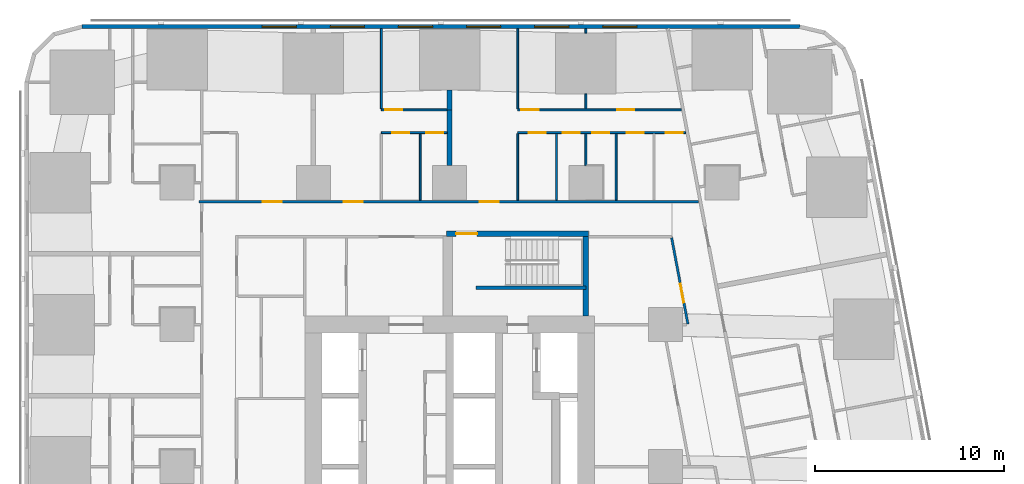
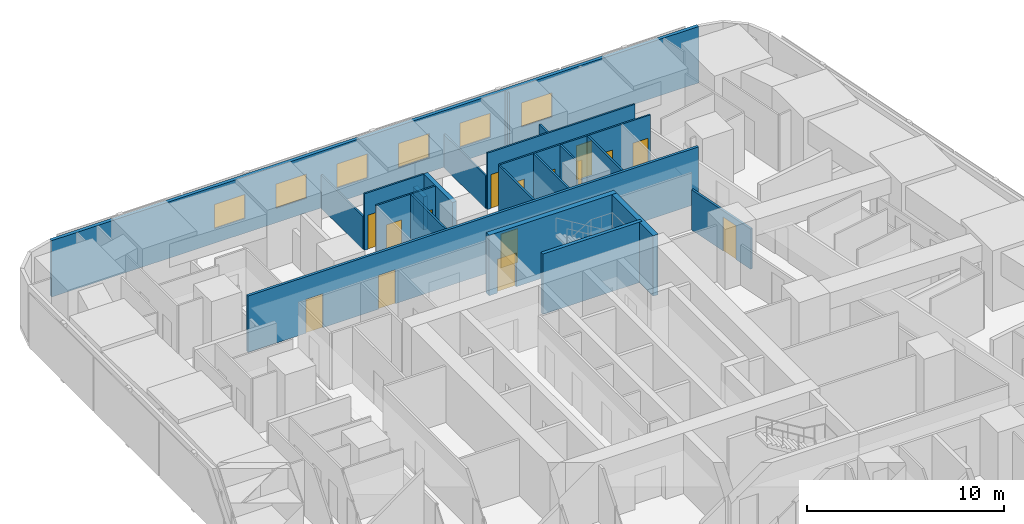
# One storey, part 12 of 17: 21 walls, 15 doors, 6 windows, 21 openings.
"""IFC4 building model written with IfcOpenShell, lengths in metres."""

from ifc_helpers import new_model, si_unit, direction, frame, frame_2d, origin, place, context, subcontext, project, spatial, rectangle, extrude, material, layer, layer_set, type_object, element, fill, save


model = new_model("IFC4")

# Units and contexts
model_context = context("Model", 3, precision=1e-05, world=origin(), true_north=direction((0.0, 1.0)))
body_context = subcontext(model_context, "Body", "Model", "MODEL_VIEW")
ifc_project = project(units=[si_unit("LENGTHUNIT", "METRE"), si_unit("AREAUNIT", "SQUARE_METRE"), si_unit("VOLUMEUNIT", "CUBIC_METRE"), si_unit("PLANEANGLEUNIT", "RADIAN"), si_unit("MASSUNIT", "GRAM", prefix="KILO")], contexts=[model_context])

# Site, building, storey
site_placement = place(None, origin())
site = spatial("IfcSite", under=ifc_project, at=site_placement, CompositionType="ELEMENT")
building_placement = place(site_placement, origin())
building = spatial("IfcBuilding", under=site, at=building_placement, Name="Sheger Commons Tower", CompositionType="ELEMENT")
storey_placement = place(building_placement, frame((0.0, 0.0, 27.5)))
storey = spatial("IfcBuildingStorey", under=building, at=storey_placement, Name="L06", CompositionType="ELEMENT", Elevation=27.5)

# Wall, openings, doors
ifc_material_1 = material(Name="Hollow concrete block masonry, skimmed both sides", Category="masonry")
ifc_layer_1 = layer(ifc_material_1, 0.14990234375)
ifc_layer_set_1 = layer_set([ifc_layer_1], Name="CORRIDOR WALL 150")
wall_type_1 = type_object("IfcWallType", Name="CORRIDOR WALL 150", PredefinedType="SOLIDWALL", material=ifc_layer_set_1)
wall_1_placement = place(storey_placement, frame((8.35009765625, 36.5, 0.0), z_axis=(0.0, 0.0, 1.0), x_axis=(1.0, 0.0, 0.0)))
wall_1 = element("IfcWall", 1, at=wall_1_placement, inside=storey, type_object=wall_type_1, Name="Corridor wall L06", PredefinedType="SOLIDWALL", context=body_context, shape_type="SweptSolid", body=[
    extrude(rectangle(XDim=26.414794921875, YDim=0.14990234375, at=frame_2d((13.20751953125, 0.0))), origin(), (0.0, 0.0, 1.0), 3.5),
])
opening_1_placement = place(wall_1_placement, frame((3.383056640625, 0.0, 0.0)))
opening_1 = element("IfcOpeningElement", 2, at=opening_1_placement, cuts=wall_1, Name="Opening D1", PredefinedType="OPENING", context=body_context, shape_type="SweptSolid", body=[
    extrude(rectangle(XDim=1.0, YDim=2.10009765625, at=frame_2d((0.5, 1.050048828125))), frame((0.0, 0.0849609375, 0.0), z_axis=(0.0, -1.0, 0.0), x_axis=(1.0, 0.0, 0.0)), (0.0, 0.0, 1.0), 0.169921875),
])
opening_2_placement = place(wall_1_placement, frame((7.64990234375, 0.0, 0.0)))
opening_2 = element("IfcOpeningElement", 3, at=opening_2_placement, cuts=wall_1, Name="Opening D1", PredefinedType="OPENING", context=body_context, shape_type="SweptSolid", body=[
    extrude(rectangle(XDim=1.0, YDim=2.10009765625, at=frame_2d((0.5, 1.050048828125))), frame((0.0, 0.0849609375, 0.0), z_axis=(0.0, -1.0, 0.0), x_axis=(1.0, 0.0, 0.0)), (0.0, 0.0, 1.0), 0.169921875),
])
opening_3_placement = place(wall_1_placement, frame((14.85693359375, 0.0, 0.0)))
opening_3 = element("IfcOpeningElement", 4, at=opening_3_placement, cuts=wall_1, Name="Opening D1", PredefinedType="OPENING", context=body_context, shape_type="SweptSolid", body=[
    extrude(rectangle(XDim=1.0, YDim=2.10009765625, at=frame_2d((0.5, 1.050048828125))), frame((0.0, 0.0849609375, 0.0), z_axis=(0.0, -1.0, 0.0), x_axis=(1.0, 0.0, 0.0)), (0.0, 0.0, 1.0), 0.169921875),
])
ifc_material_2 = material(Name="Steel door set, fire rated", Category="steel")
door_type_1 = type_object("IfcDoorType", Name="FLAT ENTRANCE DOOR 1000x2100", OperationType="NOTDEFINED", PredefinedType="DOOR", material=ifc_material_2)
door_1_placement = place(opening_1_placement, origin())
door_1 = element("IfcDoor", 5, at=door_1_placement, inside=storey, type_object=door_type_1, Name="Flat entrance door", OperationType="SINGLE_SWING_RIGHT", OverallHeight=2.10009765625, OverallWidth=1.0, PredefinedType="DOOR", context=body_context, shape_type="SweptSolid", body=[
    extrude(rectangle(XDim=1.0, YDim=2.10009765625, at=frame_2d((0.5, 1.050048828125))), frame((0.0, 0.02490234375, 0.0), z_axis=(0.0, -1.0, 0.0), x_axis=(1.0, 0.0, 0.0)), (0.0, 0.0, 1.0), 0.050048828125),
])
fill(opening_1, door_1)
door_2_placement = place(opening_2_placement, origin())
door_2 = element("IfcDoor", 6, at=door_2_placement, inside=storey, type_object=door_type_1, Name="Flat entrance door", OperationType="SINGLE_SWING_RIGHT", OverallHeight=2.10009765625, OverallWidth=1.0, PredefinedType="DOOR", context=body_context, shape_type="SweptSolid", body=[
    extrude(rectangle(XDim=1.0, YDim=2.10009765625, at=frame_2d((0.5, 1.050048828125))), frame((0.0, 0.02490234375, 0.0), z_axis=(0.0, -1.0, 0.0), x_axis=(1.0, 0.0, 0.0)), (0.0, 0.0, 1.0), 0.050048828125),
])
fill(opening_2, door_2)
door_3_placement = place(opening_3_placement, origin())
door_3 = element("IfcDoor", 7, at=door_3_placement, inside=storey, type_object=door_type_1, Name="Flat entrance door", OperationType="SINGLE_SWING_RIGHT", OverallHeight=2.10009765625, OverallWidth=1.0, PredefinedType="DOOR", context=body_context, shape_type="SweptSolid", body=[
    extrude(rectangle(XDim=1.0, YDim=2.10009765625, at=frame_2d((0.5, 1.050048828125))), frame((0.0, 0.02490234375, 0.0), z_axis=(0.0, -1.0, 0.0), x_axis=(1.0, 0.0, 0.0)), (0.0, 0.0, 1.0), 0.050048828125),
])
fill(opening_3, door_3)

# Walls
ifc_material_3 = material(Name="Dense concrete block masonry, plastered both sides (separating wall between flats)", Category="masonry")
ifc_layer_2 = layer(ifc_material_3, 0.25)
ifc_layer_set_2 = layer_set([ifc_layer_2], Name="DEMISING WALL 250")
wall_type_2 = type_object("IfcWallType", Name="DEMISING WALL 250", PredefinedType="SOLIDWALL", material=ifc_layer_set_2)
wall_2_placement = place(storey_placement, frame((21.60009765625, 41.35009765625, 0.0), z_axis=(0.0, 0.0, 1.0), x_axis=(0.0, 1.0, 0.0)))
element("IfcWall", 8, at=wall_2_placement, inside=storey, type_object=wall_type_2, Name="Demising wall L06", PredefinedType="SOLIDWALL", context=body_context, shape_type="SweptSolid", body=[
    extrude(rectangle(XDim=1.048828125, YDim=0.25, at=frame_2d((0.5244140625, 0.0))), origin(), (0.0, 0.0, 1.0), 2.050048828125),
])
wall_3_placement = place(storey_placement, frame((21.60009765625, 38.40087890625, 0.0), z_axis=(0.0, 0.0, 1.0), x_axis=(0.0, 1.0, 0.0)))
element("IfcWall", 9, at=wall_3_placement, inside=storey, type_object=wall_type_2, Name="Demising wall L06", PredefinedType="SOLIDWALL", context=body_context, shape_type="SweptSolid", body=[
    extrude(rectangle(XDim=2.94921875, YDim=0.25, at=frame_2d((1.474609375, 0.0))), origin(), (0.0, 0.0, 1.0), 3.5),
])

# Wall, openings, windows
ifc_material_4 = material(Name="Rendered concrete block masonry, dark grey", Category="masonry")
ifc_layer_3 = layer(ifc_material_4, 0.199951171875)
ifc_layer_set_3 = layer_set([ifc_layer_3], Name="FACADE WALL 200")
wall_type_3 = type_object("IfcWallType", Name="FACADE WALL 200", PredefinedType="SOLIDWALL", material=ifc_layer_set_3)
wall_4_placement = place(storey_placement, frame((40.10595703125, 45.75, 0.0), z_axis=(0.0, 0.0, 1.0), x_axis=(-1.0, 0.0, 0.0)))
wall_4 = element("IfcWall", 10, at=wall_4_placement, inside=storey, type_object=wall_type_3, Name="Facade wall L06", PredefinedType="SOLIDWALL", context=body_context, shape_type="SweptSolid", body=[
    extrude(rectangle(XDim=37.94287109375, YDim=0.199951171875, at=frame_2d((18.971435546875, 0.0))), origin(), (0.0, 0.0, 1.0), 3.5),
])
opening_4_placement = place(wall_4_placement, frame((8.60595703125, 0.0, 0.89990234375)))
opening_4 = element("IfcOpeningElement", 11, at=opening_4_placement, cuts=wall_4, Name="Opening W2", PredefinedType="OPENING", context=body_context, shape_type="SweptSolid", body=[
    extrude(rectangle(XDim=1.800048828125, YDim=1.5, at=frame_2d((0.89990234375, 0.75))), frame((0.0, 0.10986328125, 0.0), z_axis=(0.0, -1.0, 0.0), x_axis=(1.0, 0.0, 0.0)), (0.0, 0.0, 1.0), 0.219970703125),
])
opening_5_placement = place(wall_4_placement, frame((12.2060546875, 0.0, 0.89990234375)))
opening_5 = element("IfcOpeningElement", 12, at=opening_5_placement, cuts=wall_4, Name="Opening W2", PredefinedType="OPENING", context=body_context, shape_type="SweptSolid", body=[
    extrude(rectangle(XDim=1.800048828125, YDim=1.5, at=frame_2d((0.89990234375, 0.75))), frame((0.0, 0.10986328125, 0.0), z_axis=(0.0, -1.0, 0.0), x_axis=(1.0, 0.0, 0.0)), (0.0, 0.0, 1.0), 0.219970703125),
])
opening_6_placement = place(wall_4_placement, frame((15.805908203125, 0.0, 0.89990234375)))
opening_6 = element("IfcOpeningElement", 13, at=opening_6_placement, cuts=wall_4, Name="Opening W2", PredefinedType="OPENING", context=body_context, shape_type="SweptSolid", body=[
    extrude(rectangle(XDim=1.800048828125, YDim=1.5, at=frame_2d((0.89990234375, 0.75))), frame((0.0, 0.10986328125, 0.0), z_axis=(0.0, -1.0, 0.0), x_axis=(1.0, 0.0, 0.0)), (0.0, 0.0, 1.0), 0.219970703125),
])
opening_7_placement = place(wall_4_placement, frame((19.406005859375, 0.0, 0.89990234375)))
opening_7 = element("IfcOpeningElement", 14, at=opening_7_placement, cuts=wall_4, Name="Opening W2", PredefinedType="OPENING", context=body_context, shape_type="SweptSolid", body=[
    extrude(rectangle(XDim=1.800048828125, YDim=1.5, at=frame_2d((0.89990234375, 0.75))), frame((0.0, 0.10986328125, 0.0), z_axis=(0.0, -1.0, 0.0), x_axis=(1.0, 0.0, 0.0)), (0.0, 0.0, 1.0), 0.219970703125),
])
opening_8_placement = place(wall_4_placement, frame((23.006103515625, 0.0, 0.89990234375)))
opening_8 = element("IfcOpeningElement", 15, at=opening_8_placement, cuts=wall_4, Name="Opening W2", PredefinedType="OPENING", context=body_context, shape_type="SweptSolid", body=[
    extrude(rectangle(XDim=1.800048828125, YDim=1.5, at=frame_2d((0.89990234375, 0.75))), frame((0.0, 0.10986328125, 0.0), z_axis=(0.0, -1.0, 0.0), x_axis=(1.0, 0.0, 0.0)), (0.0, 0.0, 1.0), 0.219970703125),
])
opening_9_placement = place(wall_4_placement, frame((26.60595703125, 0.0, 0.89990234375)))
opening_9 = element("IfcOpeningElement", 16, at=opening_9_placement, cuts=wall_4, Name="Opening W2", PredefinedType="OPENING", context=body_context, shape_type="SweptSolid", body=[
    extrude(rectangle(XDim=1.800048828125, YDim=1.5, at=frame_2d((0.89990234375, 0.75))), frame((0.0, 0.10986328125, 0.0), z_axis=(0.0, -1.0, 0.0), x_axis=(1.0, 0.0, 0.0)), (0.0, 0.0, 1.0), 0.219970703125),
])
ifc_material_5 = material(Name="Black aluminium frame, dark tinted double glazing", Category="aluminium")
window_type = type_object("IfcWindowType", Name="WINDOW W2 1800x1500", PartitioningType="SINGLE_PANEL", PredefinedType="WINDOW", material=ifc_material_5)
window_1_placement = place(opening_4_placement, origin())
window_1 = element("IfcWindow", 17, at=window_1_placement, inside=storey, type_object=window_type, Name="Window W2 1800X1500", OverallHeight=1.5, OverallWidth=1.800048828125, PartitioningType="SINGLE_PANEL", PredefinedType="WINDOW", context=body_context, shape_type="SweptSolid", body=[
    extrude(rectangle(XDim=1.800048828125, YDim=1.5, at=frame_2d((0.89990234375, 0.75))), frame((0.0, 0.030029296875, 0.0), z_axis=(0.0, -1.0, 0.0), x_axis=(1.0, 0.0, 0.0)), (0.0, 0.0, 1.0), 0.06005859375),
])
fill(opening_4, window_1)
window_2_placement = place(opening_5_placement, origin())
window_2 = element("IfcWindow", 18, at=window_2_placement, inside=storey, type_object=window_type, Name="Window W2 1800X1500", OverallHeight=1.5, OverallWidth=1.800048828125, PartitioningType="SINGLE_PANEL", PredefinedType="WINDOW", context=body_context, shape_type="SweptSolid", body=[
    extrude(rectangle(XDim=1.800048828125, YDim=1.5, at=frame_2d((0.89990234375, 0.75))), frame((0.0, 0.030029296875, 0.0), z_axis=(0.0, -1.0, 0.0), x_axis=(1.0, 0.0, 0.0)), (0.0, 0.0, 1.0), 0.06005859375),
])
fill(opening_5, window_2)
window_3_placement = place(opening_6_placement, origin())
window_3 = element("IfcWindow", 19, at=window_3_placement, inside=storey, type_object=window_type, Name="Window W2 1800X1500", OverallHeight=1.5, OverallWidth=1.800048828125, PartitioningType="SINGLE_PANEL", PredefinedType="WINDOW", context=body_context, shape_type="SweptSolid", body=[
    extrude(rectangle(XDim=1.800048828125, YDim=1.5, at=frame_2d((0.89990234375, 0.75))), frame((0.0, 0.030029296875, 0.0), z_axis=(0.0, -1.0, 0.0), x_axis=(1.0, 0.0, 0.0)), (0.0, 0.0, 1.0), 0.06005859375),
])
fill(opening_6, window_3)
window_4_placement = place(opening_7_placement, origin())
window_4 = element("IfcWindow", 20, at=window_4_placement, inside=storey, type_object=window_type, Name="Window W2 1800X1500", OverallHeight=1.5, OverallWidth=1.800048828125, PartitioningType="SINGLE_PANEL", PredefinedType="WINDOW", context=body_context, shape_type="SweptSolid", body=[
    extrude(rectangle(XDim=1.800048828125, YDim=1.5, at=frame_2d((0.89990234375, 0.75))), frame((0.0, 0.030029296875, 0.0), z_axis=(0.0, -1.0, 0.0), x_axis=(1.0, 0.0, 0.0)), (0.0, 0.0, 1.0), 0.06005859375),
])
fill(opening_7, window_4)
window_5_placement = place(opening_8_placement, origin())
window_5 = element("IfcWindow", 21, at=window_5_placement, inside=storey, type_object=window_type, Name="Window W2 1800X1500", OverallHeight=1.5, OverallWidth=1.800048828125, PartitioningType="SINGLE_PANEL", PredefinedType="WINDOW", context=body_context, shape_type="SweptSolid", body=[
    extrude(rectangle(XDim=1.800048828125, YDim=1.5, at=frame_2d((0.89990234375, 0.75))), frame((0.0, 0.030029296875, 0.0), z_axis=(0.0, -1.0, 0.0), x_axis=(1.0, 0.0, 0.0)), (0.0, 0.0, 1.0), 0.06005859375),
])
fill(opening_8, window_5)
window_6_placement = place(opening_9_placement, origin())
window_6 = element("IfcWindow", 22, at=window_6_placement, inside=storey, type_object=window_type, Name="Window W2 1800X1500", OverallHeight=1.5, OverallWidth=1.800048828125, PartitioningType="SINGLE_PANEL", PredefinedType="WINDOW", context=body_context, shape_type="SweptSolid", body=[
    extrude(rectangle(XDim=1.800048828125, YDim=1.5, at=frame_2d((0.89990234375, 0.75))), frame((0.0, 0.030029296875, 0.0), z_axis=(0.0, -1.0, 0.0), x_axis=(1.0, 0.0, 0.0)), (0.0, 0.0, 1.0), 0.06005859375),
])
fill(opening_9, window_6)

# Wall, opening, door
ifc_material_6 = material(Name="Gypsum board on steel studs", Category="steel")
ifc_layer_4 = layer(ifc_material_6, 0.10009765625)
ifc_layer_set_4 = layer_set([ifc_layer_4], Name="PARTITION 100")
wall_type_4 = type_object("IfcWallType", Name="PARTITION 100", PredefinedType="PARTITIONING", material=ifc_layer_set_4)
wall_5_placement = place(storey_placement, frame((18.0, 41.35009765625, 0.0), z_axis=(0.0, 0.0, 1.0), x_axis=(1.0, 0.0, 0.0)))
wall_5 = element("IfcWall", 23, at=wall_5_placement, inside=storey, type_object=wall_type_4, Name="Partition L06", PredefinedType="PARTITIONING", context=body_context, shape_type="SweptSolid", body=[
    extrude(rectangle(XDim=3.47509765625, YDim=0.10009765625, at=frame_2d((1.737548828125, 0.0))), origin(), (0.0, 0.0, 1.0), 3.5),
])
opening_10_placement = place(wall_5_placement, frame((0.199951171875, 0.0, 0.0)))
opening_10 = element("IfcOpeningElement", 24, at=opening_10_placement, cuts=wall_5, Name="Opening D2", PredefinedType="OPENING", context=body_context, shape_type="SweptSolid", body=[
    extrude(rectangle(XDim=0.89990234375, YDim=2.10009765625, at=frame_2d((0.449951171875, 1.050048828125))), frame((0.0, 0.06005859375, 0.0), z_axis=(0.0, -1.0, 0.0), x_axis=(1.0, 0.0, 0.0)), (0.0, 0.0, 1.0), 0.1201171875),
])
ifc_material_7 = material(Name="Timber door set", Category="wood")
door_type_2 = type_object("IfcDoorType", Name="INTERNAL DOOR 900x2100", OperationType="NOTDEFINED", PredefinedType="DOOR", material=ifc_material_7)
door_4_placement = place(opening_10_placement, origin())
door_4 = element("IfcDoor", 25, at=door_4_placement, inside=storey, type_object=door_type_2, Name="Main bedroom door", OperationType="SINGLE_SWING_LEFT", OverallHeight=2.10009765625, OverallWidth=0.89990234375, PredefinedType="DOOR", context=body_context, shape_type="SweptSolid", body=[
    extrude(rectangle(XDim=0.89990234375, YDim=2.10009765625, at=frame_2d((0.449951171875, 1.050048828125))), frame((0.0, 0.02490234375, 0.0), z_axis=(0.0, -1.0, 0.0), x_axis=(1.0, 0.0, 0.0)), (0.0, 0.0, 1.0), 0.050048828125),
])
fill(opening_10, door_4)

# Wall, openings, doors
wall_6_placement = place(storey_placement, frame((18.0, 40.14990234375, 0.0), z_axis=(0.0, 0.0, 1.0), x_axis=(1.0, 0.0, 0.0)))
wall_6 = element("IfcWall", 26, at=wall_6_placement, inside=storey, type_object=wall_type_4, Name="Partition L06", PredefinedType="PARTITIONING", context=body_context, shape_type="SweptSolid", body=[
    extrude(rectangle(XDim=3.47509765625, YDim=0.10009765625, at=frame_2d((1.737548828125, 0.0))), origin(), (0.0, 0.0, 1.0), 3.5),
])
opening_11_placement = place(wall_6_placement, frame((0.574951171875, 0.0, 0.0)))
opening_11 = element("IfcOpeningElement", 27, at=opening_11_placement, cuts=wall_6, Name="Opening D2", PredefinedType="OPENING", context=body_context, shape_type="SweptSolid", body=[
    extrude(rectangle(XDim=0.89990234375, YDim=2.10009765625, at=frame_2d((0.449951171875, 1.050048828125))), frame((0.0, 0.06005859375, 0.0), z_axis=(0.0, -1.0, 0.0), x_axis=(1.0, 0.0, 0.0)), (0.0, 0.0, 1.0), 0.1201171875),
])
opening_12_placement = place(wall_6_placement, frame((2.375, 0.0, 0.0)))
opening_12 = element("IfcOpeningElement", 28, at=opening_12_placement, cuts=wall_6, Name="Opening D2", PredefinedType="OPENING", context=body_context, shape_type="SweptSolid", body=[
    extrude(rectangle(XDim=0.89990234375, YDim=2.10009765625, at=frame_2d((0.449951171875, 1.050048828125))), frame((0.0, 0.06005859375, 0.0), z_axis=(0.0, -1.0, 0.0), x_axis=(1.0, 0.0, 0.0)), (0.0, 0.0, 1.0), 0.1201171875),
])
door_5_placement = place(opening_11_placement, origin())
door_5 = element("IfcDoor", 29, at=door_5_placement, inside=storey, type_object=door_type_2, Name="Bathroom door", OperationType="SINGLE_SWING_RIGHT", OverallHeight=2.10009765625, OverallWidth=0.89990234375, PredefinedType="DOOR", context=body_context, shape_type="SweptSolid", body=[
    extrude(rectangle(XDim=0.89990234375, YDim=2.10009765625, at=frame_2d((0.449951171875, 1.050048828125))), frame((0.0, 0.02490234375, 0.0), z_axis=(0.0, -1.0, 0.0), x_axis=(1.0, 0.0, 0.0)), (0.0, 0.0, 1.0), 0.050048828125),
])
fill(opening_11, door_5)
door_6_placement = place(opening_12_placement, origin())
door_6 = element("IfcDoor", 30, at=door_6_placement, inside=storey, type_object=door_type_2, Name="Store door", OperationType="SINGLE_SWING_LEFT", OverallHeight=2.10009765625, OverallWidth=0.89990234375, PredefinedType="DOOR", context=body_context, shape_type="SweptSolid", body=[
    extrude(rectangle(XDim=0.89990234375, YDim=2.10009765625, at=frame_2d((0.449951171875, 1.050048828125))), frame((0.0, 0.02490234375, 0.0), z_axis=(0.0, -1.0, 0.0), x_axis=(1.0, 0.0, 0.0)), (0.0, 0.0, 1.0), 0.050048828125),
])
fill(opening_12, door_6)

# Walls
wall_7_placement = place(storey_placement, frame((18.0, 41.39990234375, 0.0), z_axis=(0.0, 0.0, 1.0), x_axis=(0.0, 1.0, 0.0)))
element("IfcWall", 31, at=wall_7_placement, inside=storey, type_object=wall_type_4, Name="Partition L06", PredefinedType="PARTITIONING", context=body_context, shape_type="SweptSolid", body=[
    extrude(rectangle(XDim=4.25, YDim=0.10009765625, at=frame_2d((2.125, 0.0))), origin(), (0.0, 0.0, 1.0), 2.050048828125),
])
wall_8_placement = place(storey_placement, frame((20.050048828125, 36.574951171875, 0.0), z_axis=(0.0, 0.0, 1.0), x_axis=(0.0, 1.0, 0.0)))
element("IfcWall", 32, at=wall_8_placement, inside=storey, type_object=wall_type_4, Name="Partition L06", PredefinedType="PARTITIONING", context=body_context, shape_type="SweptSolid", body=[
    extrude(rectangle(XDim=3.525146484375, YDim=0.10009765625, at=frame_2d((1.7626953125, 0.0))), origin(), (0.0, 0.0, 1.0), 3.5),
])

# Wall, openings, doors
wall_9_placement = place(storey_placement, frame((25.199951171875, 41.35009765625, 0.0), z_axis=(0.0, 0.0, 1.0), x_axis=(1.0, 0.0, 0.0)))
wall_9 = element("IfcWall", 33, at=wall_9_placement, inside=storey, type_object=wall_type_4, Name="Partition L06", PredefinedType="PARTITIONING", context=body_context, shape_type="SweptSolid", body=[
    extrude(rectangle(XDim=8.653076171875, YDim=0.10009765625, at=frame_2d((4.32666015625, 0.0))), origin(), (0.0, 0.0, 1.0), 3.5),
])
opening_13_placement = place(wall_9_placement, frame((0.199951171875, 0.0, 0.0)))
opening_13 = element("IfcOpeningElement", 34, at=opening_13_placement, cuts=wall_9, Name="Opening D2", PredefinedType="OPENING", context=body_context, shape_type="SweptSolid", body=[
    extrude(rectangle(XDim=0.89990234375, YDim=2.10009765625, at=frame_2d((0.449951171875, 1.050048828125))), frame((0.0, 0.06005859375, 0.0), z_axis=(0.0, -1.0, 0.0), x_axis=(1.0, 0.0, 0.0)), (0.0, 0.0, 1.0), 0.1201171875),
])
opening_14_placement = place(wall_9_placement, frame((5.25, 0.0, 0.0)))
opening_14 = element("IfcOpeningElement", 35, at=opening_14_placement, cuts=wall_9, Name="Opening D2", PredefinedType="OPENING", context=body_context, shape_type="SweptSolid", body=[
    extrude(rectangle(XDim=0.89990234375, YDim=2.10009765625, at=frame_2d((0.449951171875, 1.050048828125))), frame((0.0, 0.06005859375, 0.0), z_axis=(0.0, -1.0, 0.0), x_axis=(1.0, 0.0, 0.0)), (0.0, 0.0, 1.0), 0.1201171875),
])
door_7_placement = place(opening_13_placement, origin())
door_7 = element("IfcDoor", 36, at=door_7_placement, inside=storey, type_object=door_type_2, Name="Main bedroom door", OperationType="SINGLE_SWING_LEFT", OverallHeight=2.10009765625, OverallWidth=0.89990234375, PredefinedType="DOOR", context=body_context, shape_type="SweptSolid", body=[
    extrude(rectangle(XDim=0.89990234375, YDim=2.10009765625, at=frame_2d((0.449951171875, 1.050048828125))), frame((0.0, 0.02490234375, 0.0), z_axis=(0.0, -1.0, 0.0), x_axis=(1.0, 0.0, 0.0)), (0.0, 0.0, 1.0), 0.050048828125),
])
fill(opening_13, door_7)
door_8_placement = place(opening_14_placement, origin())
door_8 = element("IfcDoor", 37, at=door_8_placement, inside=storey, type_object=door_type_2, Name="Bedroom 2 door", OperationType="SINGLE_SWING_LEFT", OverallHeight=2.10009765625, OverallWidth=0.89990234375, PredefinedType="DOOR", context=body_context, shape_type="SweptSolid", body=[
    extrude(rectangle(XDim=0.89990234375, YDim=2.10009765625, at=frame_2d((0.449951171875, 1.050048828125))), frame((0.0, 0.02490234375, 0.0), z_axis=(0.0, -1.0, 0.0), x_axis=(1.0, 0.0, 0.0)), (0.0, 0.0, 1.0), 0.050048828125),
])
fill(opening_14, door_8)

wall_10_placement = place(storey_placement, frame((25.199951171875, 40.14990234375, 0.0), z_axis=(0.0, 0.0, 1.0), x_axis=(1.0, 0.0, 0.0)))
wall_10 = element("IfcWall", 38, at=wall_10_placement, inside=storey, type_object=wall_type_4, Name="Partition L06", PredefinedType="PARTITIONING", context=body_context, shape_type="SweptSolid", body=[
    extrude(rectangle(XDim=8.880126953125, YDim=0.10009765625, at=frame_2d((4.43994140625, 0.0))), origin(), (0.0, 0.0, 1.0), 3.5),
])
opening_15_placement = place(wall_10_placement, frame((0.574951171875, 0.0, 0.0)))
opening_15 = element("IfcOpeningElement", 39, at=opening_15_placement, cuts=wall_10, Name="Opening D2", PredefinedType="OPENING", context=body_context, shape_type="SweptSolid", body=[
    extrude(rectangle(XDim=0.89990234375, YDim=2.10009765625, at=frame_2d((0.449951171875, 1.050048828125))), frame((0.0, 0.06005859375, 0.0), z_axis=(0.0, -1.0, 0.0), x_axis=(1.0, 0.0, 0.0)), (0.0, 0.0, 1.0), 0.1201171875),
])
opening_16_placement = place(wall_10_placement, frame((3.949951171875, 0.0, 0.0)))
opening_16 = element("IfcOpeningElement", 40, at=opening_16_placement, cuts=wall_10, Name="Opening D2", PredefinedType="OPENING", context=body_context, shape_type="SweptSolid", body=[
    extrude(rectangle(XDim=0.89990234375, YDim=2.10009765625, at=frame_2d((0.449951171875, 1.050048828125))), frame((0.0, 0.06005859375, 0.0), z_axis=(0.0, -1.0, 0.0), x_axis=(1.0, 0.0, 0.0)), (0.0, 0.0, 1.0), 0.1201171875),
])
opening_17_placement = place(wall_10_placement, frame((7.830078125, 0.0, 0.0)))
opening_17 = element("IfcOpeningElement", 41, at=opening_17_placement, cuts=wall_10, Name="Opening D2", PredefinedType="OPENING", context=body_context, shape_type="SweptSolid", body=[
    extrude(rectangle(XDim=0.89990234375, YDim=2.10009765625, at=frame_2d((0.449951171875, 1.050048828125))), frame((0.0, 0.06005859375, 0.0), z_axis=(0.0, -1.0, 0.0), x_axis=(1.0, 0.0, 0.0)), (0.0, 0.0, 1.0), 0.1201171875),
])
opening_18_placement = place(wall_10_placement, frame((2.375, 0.0, 0.0)))
opening_18 = element("IfcOpeningElement", 42, at=opening_18_placement, cuts=wall_10, Name="Opening D2", PredefinedType="OPENING", context=body_context, shape_type="SweptSolid", body=[
    extrude(rectangle(XDim=0.89990234375, YDim=2.10009765625, at=frame_2d((0.449951171875, 1.050048828125))), frame((0.0, 0.06005859375, 0.0), z_axis=(0.0, -1.0, 0.0), x_axis=(1.0, 0.0, 0.0)), (0.0, 0.0, 1.0), 0.1201171875),
])
opening_19_placement = place(wall_10_placement, frame((5.75, 0.0, 0.0)))
opening_19 = element("IfcOpeningElement", 43, at=opening_19_placement, cuts=wall_10, Name="Opening D2", PredefinedType="OPENING", context=body_context, shape_type="SweptSolid", body=[
    extrude(rectangle(XDim=0.89990234375, YDim=2.10009765625, at=frame_2d((0.449951171875, 1.050048828125))), frame((0.0, 0.06005859375, 0.0), z_axis=(0.0, -1.0, 0.0), x_axis=(1.0, 0.0, 0.0)), (0.0, 0.0, 1.0), 0.1201171875),
])
door_9_placement = place(opening_15_placement, origin())
door_9 = element("IfcDoor", 44, at=door_9_placement, inside=storey, type_object=door_type_2, Name="Bathroom door", OperationType="SINGLE_SWING_RIGHT", OverallHeight=2.10009765625, OverallWidth=0.89990234375, PredefinedType="DOOR", context=body_context, shape_type="SweptSolid", body=[
    extrude(rectangle(XDim=0.89990234375, YDim=2.10009765625, at=frame_2d((0.449951171875, 1.050048828125))), frame((0.0, 0.02490234375, 0.0), z_axis=(0.0, -1.0, 0.0), x_axis=(1.0, 0.0, 0.0)), (0.0, 0.0, 1.0), 0.050048828125),
])
fill(opening_15, door_9)
door_10_placement = place(opening_16_placement, origin())
door_10 = element("IfcDoor", 45, at=door_10_placement, inside=storey, type_object=door_type_2, Name="Shower room door", OperationType="SINGLE_SWING_RIGHT", OverallHeight=2.10009765625, OverallWidth=0.89990234375, PredefinedType="DOOR", context=body_context, shape_type="SweptSolid", body=[
    extrude(rectangle(XDim=0.89990234375, YDim=2.10009765625, at=frame_2d((0.449951171875, 1.050048828125))), frame((0.0, 0.02490234375, 0.0), z_axis=(0.0, -1.0, 0.0), x_axis=(1.0, 0.0, 0.0)), (0.0, 0.0, 1.0), 0.050048828125),
])
fill(opening_16, door_10)
door_11_placement = place(opening_17_placement, origin())
door_11 = element("IfcDoor", 46, at=door_11_placement, inside=storey, type_object=door_type_2, Name="Laundry room door", OperationType="SINGLE_SWING_LEFT", OverallHeight=2.10009765625, OverallWidth=0.89990234375, PredefinedType="DOOR", context=body_context, shape_type="SweptSolid", body=[
    extrude(rectangle(XDim=0.89990234375, YDim=2.10009765625, at=frame_2d((0.449951171875, 1.050048828125))), frame((0.0, 0.02490234375, 0.0), z_axis=(0.0, -1.0, 0.0), x_axis=(1.0, 0.0, 0.0)), (0.0, 0.0, 1.0), 0.050048828125),
])
fill(opening_17, door_11)
door_12_placement = place(opening_18_placement, origin())
door_12 = element("IfcDoor", 47, at=door_12_placement, inside=storey, type_object=door_type_2, Name="Store door", OperationType="SINGLE_SWING_LEFT", OverallHeight=2.10009765625, OverallWidth=0.89990234375, PredefinedType="DOOR", context=body_context, shape_type="SweptSolid", body=[
    extrude(rectangle(XDim=0.89990234375, YDim=2.10009765625, at=frame_2d((0.449951171875, 1.050048828125))), frame((0.0, 0.02490234375, 0.0), z_axis=(0.0, -1.0, 0.0), x_axis=(1.0, 0.0, 0.0)), (0.0, 0.0, 1.0), 0.050048828125),
])
fill(opening_18, door_12)
door_13_placement = place(opening_19_placement, origin())
door_13 = element("IfcDoor", 48, at=door_13_placement, inside=storey, type_object=door_type_2, Name="Store door", OperationType="SINGLE_SWING_LEFT", OverallHeight=2.10009765625, OverallWidth=0.89990234375, PredefinedType="DOOR", context=body_context, shape_type="SweptSolid", body=[
    extrude(rectangle(XDim=0.89990234375, YDim=2.10009765625, at=frame_2d((0.449951171875, 1.050048828125))), frame((0.0, 0.02490234375, 0.0), z_axis=(0.0, -1.0, 0.0), x_axis=(1.0, 0.0, 0.0)), (0.0, 0.0, 1.0), 0.050048828125),
])
fill(opening_19, door_13)

# Walls
wall_11_placement = place(storey_placement, frame((25.199951171875, 41.39990234375, 0.0), z_axis=(0.0, 0.0, 1.0), x_axis=(0.0, 1.0, 0.0)))
element("IfcWall", 49, at=wall_11_placement, inside=storey, type_object=wall_type_4, Name="Partition L06", PredefinedType="PARTITIONING", context=body_context, shape_type="SweptSolid", body=[
    extrude(rectangle(XDim=4.25, YDim=0.10009765625, at=frame_2d((2.125, 0.0))), origin(), (0.0, 0.0, 1.0), 2.050048828125),
])
wall_12_placement = place(storey_placement, frame((28.800048828125, 41.39990234375, 0.0), z_axis=(0.0, 0.0, 1.0), x_axis=(0.0, 1.0, 0.0)))
element("IfcWall", 50, at=wall_12_placement, inside=storey, type_object=wall_type_4, Name="Partition L06", PredefinedType="PARTITIONING", context=body_context, shape_type="SweptSolid", body=[
    extrude(rectangle(XDim=0.799072265625, YDim=0.10009765625, at=frame_2d((0.3994140625, 0.0))), origin(), (0.0, 0.0, 1.0), 3.5),
])
wall_13_placement = place(storey_placement, frame((28.800048828125, 45.40087890625, 0.0), z_axis=(0.0, 0.0, 1.0), x_axis=(0.0, 1.0, 0.0)))
element("IfcWall", 51, at=wall_13_placement, inside=storey, type_object=wall_type_4, Name="Partition L06", PredefinedType="PARTITIONING", context=body_context, shape_type="SweptSolid", body=[
    extrude(rectangle(XDim=0.2490234375, YDim=0.10009765625, at=frame_2d((0.12451171875, 0.0))), origin(), (0.0, 0.0, 1.0), 3.5),
])
wall_14_placement = place(storey_placement, frame((25.199951171875, 36.574951171875, 0.0), z_axis=(0.0, 0.0, 1.0), x_axis=(0.0, 1.0, 0.0)))
element("IfcWall", 52, at=wall_14_placement, inside=storey, type_object=wall_type_4, Name="Partition L06", PredefinedType="PARTITIONING", context=body_context, shape_type="SweptSolid", body=[
    extrude(rectangle(XDim=3.525146484375, YDim=0.10009765625, at=frame_2d((1.7626953125, 0.0))), origin(), (0.0, 0.0, 1.0), 3.5),
])
wall_15_placement = place(storey_placement, frame((28.800048828125, 38.40087890625, 0.0), z_axis=(0.0, 0.0, 1.0), x_axis=(0.0, 1.0, 0.0)))
element("IfcWall", 53, at=wall_15_placement, inside=storey, type_object=wall_type_4, Name="Partition L06", PredefinedType="PARTITIONING", context=body_context, shape_type="SweptSolid", body=[
    extrude(rectangle(XDim=1.69921875, YDim=0.10009765625, at=frame_2d((0.849609375, 0.0))), origin(), (0.0, 0.0, 1.0), 3.5),
])
for number, where, z_axis, x_axis, name in (
    (54, (27.25, 36.574951171875, 0.0), (0.0, 0.0, 1.0), (0.0, 1.0, 0.0), "Partition L06"),
    (55, (30.39990234375, 36.574951171875, 0.0), (0.0, 0.0, 1.0), (0.0, 1.0, 0.0), "Partition L06"),
):
    element("IfcWall", number, at=place(storey_placement, frame(where, z_axis=z_axis, x_axis=x_axis)), inside=storey, type_object=wall_type_4, Name=name, PredefinedType="PARTITIONING", context=body_context, shape_type="SweptSolid", body=[
        extrude(rectangle(XDim=3.525146484375, YDim=0.10009765625, at=frame_2d((1.7626953125, 0.0))), origin(), (0.0, 0.0, 1.0), 3.5),
    ])

# Wall, opening, door
ifc_material_8 = material(Name="Gypsum board on steel studs, two layers each side, fire rated", Category="steel")
ifc_layer_5 = layer(ifc_material_8, 0.125)
ifc_layer_set_5 = layer_set([ifc_layer_5], Name="SERVICE WALL 125")
wall_type_5 = type_object("IfcWallType", Name="SERVICE WALL 125", PredefinedType="PARTITIONING", material=ifc_layer_set_5)
wall_16_placement = place(storey_placement, frame((34.193115234375, 30.0400390625, 0.0), z_axis=(0.0, 0.0, 1.0), x_axis=(-0.185626015863, 0.982620467034, 0.0)))
wall_16 = element("IfcWall", 56, at=wall_16_placement, inside=storey, type_object=wall_type_5, Name="Service room wall L06", PredefinedType="PARTITIONING", context=body_context, shape_type="SweptSolid", body=[
    extrude(rectangle(XDim=4.628173828125, YDim=0.125, at=frame_2d((2.31396484375, 0.0))), origin(), (0.0, 0.0, 1.0), 2.5),
])
opening_20_placement = place(wall_16_placement, frame((1.14990234375, 0.0, 0.0)))
opening_20 = element("IfcOpeningElement", 57, at=opening_20_placement, cuts=wall_16, Name="Opening D4", PredefinedType="OPENING", context=body_context, shape_type="SweptSolid", body=[
    extrude(rectangle(XDim=1.0, YDim=2.10009765625, at=frame_2d((0.5, 1.050048828125))), frame((0.0, 0.072509765625, 0.0), z_axis=(0.0, -1.0, 0.0), x_axis=(1.0, 0.0, 0.0)), (0.0, 0.0, 1.0), 0.14501953125),
])
ifc_material_9 = material(Name="Steel door set, fire rated", Category="steel")
door_type_3 = type_object("IfcDoorType", Name="SERVICE DOOR 1000x2100", OperationType="NOTDEFINED", PredefinedType="DOOR", material=ifc_material_9)
door_14_placement = place(opening_20_placement, origin())
door_14 = element("IfcDoor", 58, at=door_14_placement, inside=storey, type_object=door_type_3, Name="Linen store door", OperationType="SINGLE_SWING_LEFT", OverallHeight=2.10009765625, OverallWidth=1.0, PredefinedType="DOOR", context=body_context, shape_type="SweptSolid", body=[
    extrude(rectangle(XDim=1.0, YDim=2.10009765625, at=frame_2d((0.5, 1.050048828125))), frame((0.0, 0.02490234375, 0.0), z_axis=(0.0, -1.0, 0.0), x_axis=(1.0, 0.0, 0.0)), (0.0, 0.0, 1.0), 0.050048828125),
])
fill(opening_20, door_14)

ifc_material_10 = material(Name="Concrete C50/60", Category="concrete")
ifc_layer_6 = layer(ifc_material_10, 0.300048828125)
ifc_layer_set_6 = layer_set([ifc_layer_6], Name="STAIR CORE WALL 300")
wall_type_6 = type_object("IfcWallType", Name="STAIR CORE WALL 300", PredefinedType="SHEAR", material=ifc_layer_set_6)
wall_17_placement = place(storey_placement, frame((21.449951171875, 34.800048828125, 0.0), z_axis=(0.0, 0.0, 1.0), x_axis=(1.0, 0.0, 0.0)))
wall_17 = element("IfcWall", 59, at=wall_17_placement, inside=storey, type_object=wall_type_6, Name="STW-L06-S2N", PredefinedType="SHEAR", context=body_context, shape_type="SweptSolid", body=[
    extrude(rectangle(XDim=7.5, YDim=0.300048828125, at=frame_2d((3.75, 0.0))), origin(), (0.0, 0.0, 1.0), 3.75),
])
opening_21_placement = place(wall_17_placement, frame((0.5, 0.0, 0.0)))
opening_21 = element("IfcOpeningElement", 60, at=opening_21_placement, cuts=wall_17, Name="Opening D5", PredefinedType="OPENING", context=body_context, shape_type="SweptSolid", body=[
    extrude(rectangle(XDim=1.10009765625, YDim=2.10009765625, at=frame_2d((0.550048828125, 1.050048828125))), frame((0.0, 0.159912109375, 0.0), z_axis=(0.0, -1.0, 0.0), x_axis=(1.0, 0.0, 0.0)), (0.0, 0.0, 1.0), 0.320068359375),
])
ifc_material_11 = material(Name="Steel door set, fire rated", Category="steel")
door_type_4 = type_object("IfcDoorType", Name="STAIR DOOR 1100x2100", OperationType="NOTDEFINED", PredefinedType="DOOR", material=ifc_material_11)
door_15_placement = place(opening_21_placement, origin())
door_15 = element("IfcDoor", 61, at=door_15_placement, inside=storey, type_object=door_type_4, Name="Stair S2 door", OperationType="SINGLE_SWING_RIGHT", OverallHeight=2.10009765625, OverallWidth=1.10009765625, PredefinedType="DOOR", context=body_context, shape_type="SweptSolid", body=[
    extrude(rectangle(XDim=1.10009765625, YDim=2.10009765625, at=frame_2d((0.550048828125, 1.050048828125))), frame((0.0, 0.02490234375, 0.0), z_axis=(0.0, -1.0, 0.0), x_axis=(1.0, 0.0, 0.0)), (0.0, 0.0, 1.0), 0.050048828125),
])
fill(opening_21, door_15)

# Walls
wall_18_placement = place(storey_placement, frame((28.800048828125, 30.449951171875, 0.0), z_axis=(0.0, 0.0, 1.0), x_axis=(0.0, 1.0, 0.0)))
element("IfcWall", 62, at=wall_18_placement, inside=storey, type_object=wall_type_6, Name="STW-L06-S2E", PredefinedType="SHEAR", context=body_context, shape_type="SweptSolid", body=[
    extrude(rectangle(XDim=4.199951171875, YDim=0.300048828125, at=frame_2d((2.10009765625, 0.0))), origin(), (0.0, 0.0, 1.0), 3.75),
])
ifc_material_12 = material(Name="Concrete C50/60", Category="concrete")
ifc_layer_7 = layer(ifc_material_12, 0.199951171875)
ifc_layer_set_7 = layer_set([ifc_layer_7], Name="STAIR SPINE WALL 200")
wall_type_7 = type_object("IfcWallType", Name="STAIR SPINE WALL 200", PredefinedType="SHEAR", material=ifc_layer_set_7)
wall_19_placement = place(storey_placement, frame((23.0, 31.949951171875, 0.0), z_axis=(0.0, 0.0, 1.0), x_axis=(1.0, 0.0, 0.0)))
element("IfcWall", 63, at=wall_19_placement, inside=storey, type_object=wall_type_7, Name="Stair spine wall L06", PredefinedType="SHEAR", context=body_context, shape_type="SweptSolid", body=[
    extrude(rectangle(XDim=5.800048828125, YDim=0.199951171875, at=frame_2d((2.89990234375, 0.0))), origin(), (0.0, 0.0, 1.0), 3.75),
])

save(model, "model.ifc")
